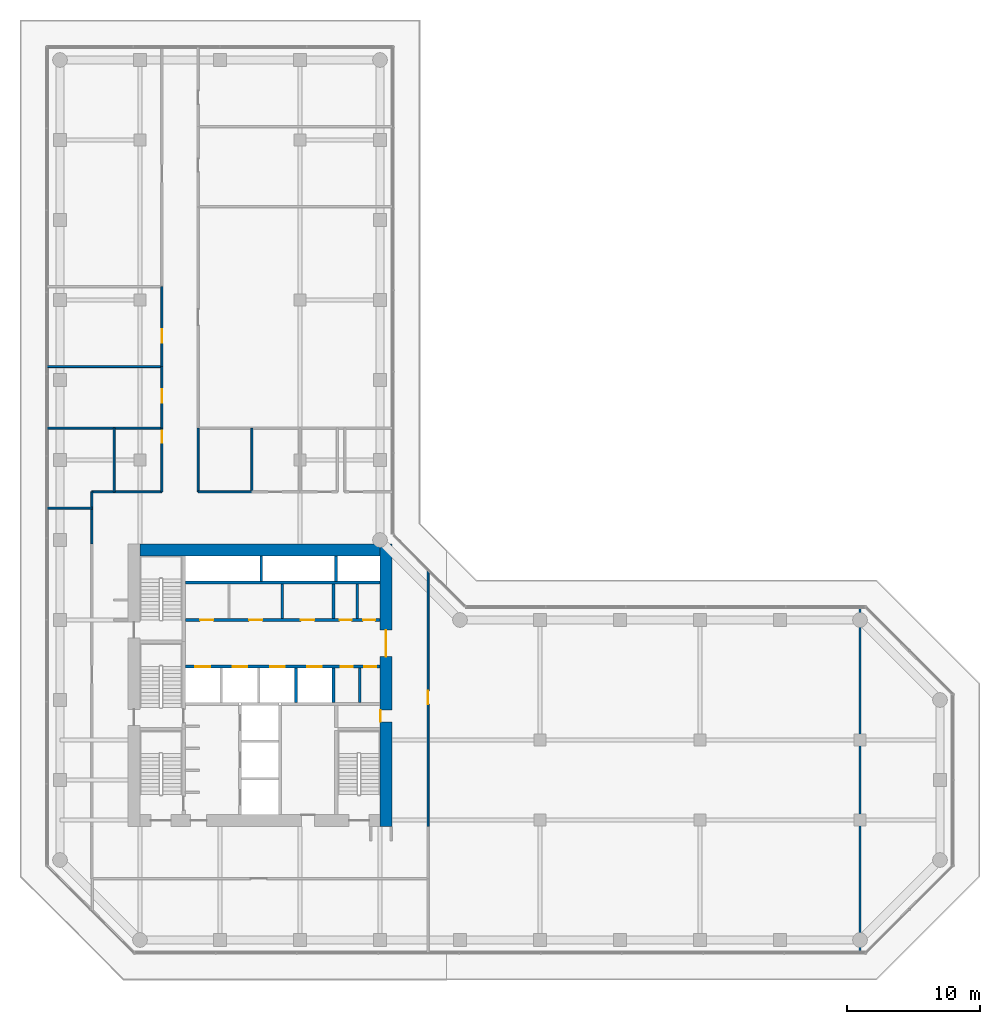
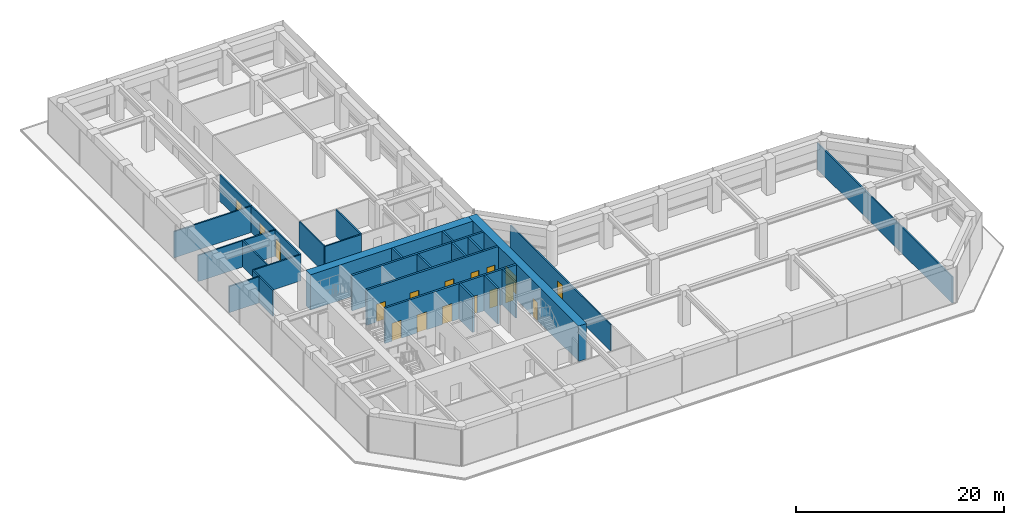
# One storey, part 22 of 24: 27 walls, 17 doors, 17 openings.
"""IFC4 building model written with IfcOpenShell, lengths in metres."""

from ifc_helpers import new_model, si_unit, direction, frame, frame_2d, origin, place, context, subcontext, project, spatial, rectangle, extrude, material, layer, layer_set, type_object, element, fill, save


model = new_model("IFC4")

# Units and contexts
model_context = context("Model", 3, precision=1e-05, world=origin(), true_north=direction((0.0, 1.0)))
body_context = subcontext(model_context, "Body", "Model", "MODEL_VIEW")
ifc_project = project(units=[si_unit("LENGTHUNIT", "METRE"), si_unit("AREAUNIT", "SQUARE_METRE"), si_unit("VOLUMEUNIT", "CUBIC_METRE"), si_unit("PLANEANGLEUNIT", "RADIAN"), si_unit("MASSUNIT", "GRAM", prefix="KILO")], contexts=[model_context])

# Site, building, storey
site_placement = place(None, origin())
site = spatial("IfcSite", under=ifc_project, at=site_placement, CompositionType="ELEMENT")
building_placement = place(site_placement, origin())
building = spatial("IfcBuilding", under=site, at=building_placement, Name="Welwitschia Terrace Campus", CompositionType="ELEMENT")
storey_placement = place(building_placement, frame((0.0, 0.0, 24.5)))
storey = spatial("IfcBuildingStorey", under=building, at=storey_placement, Name="L05", CompositionType="ELEMENT", Elevation=24.5)

# Walls
ifc_material_1 = material(Name="Concrete C32/40", Category="concrete")
ifc_layer_1 = layer(ifc_material_1, 0.175048828125)
ifc_layer_set_1 = layer_set([ifc_layer_1], Name="Concrete C32/40")
wall_type_1 = type_object("IfcWallType", Name="Core partition 175 Concrete C32/40", PredefinedType="PARTITIONING", material=ifc_layer_set_1)
for number, where, z_axis, x_axis, name in (
    (1, (16.675048828125, 20.10009765625, 0.0), (0.0, 0.0, 1.0), (0.0, 1.0, 0.0), "Core partition"),
    (2, (22.300048828125, 20.10009765625, 0.0), (0.0, 0.0, 1.0), (0.0, 1.0, 0.0), "Core partition"),
    (3, (22.469970703125, 13.800048828125, 0.0), (0.0, 0.0, 1.0), (0.0, 1.0, 0.0), "Core partition"),
):
    element("IfcWall", number, at=place(storey_placement, frame(where, z_axis=z_axis, x_axis=x_axis)), inside=storey, type_object=wall_type_1, Name=name, PredefinedType="PARTITIONING", context=body_context, shape_type="SweptSolid", body=[
        extrude(rectangle(XDim=2.599853515625, YDim=0.175048828125, at=frame_2d((1.2998046875, 0.0))), origin(), (0.0, 0.0, 1.0), 4.14990234375),
    ])

# Wall, openings, doors
ifc_material_2 = material(Name="Concrete C32/40", Category="concrete")
ifc_layer_2 = layer(ifc_material_2, 0.22509765625)
ifc_layer_set_2 = layer_set([ifc_layer_2], Name="Concrete C32/40")
wall_type_2 = type_object("IfcWallType", Name="Core partition 225 Concrete C32/40", PredefinedType="PARTITIONING", material=ifc_layer_set_2)
wall_1_placement = place(storey_placement, frame((9.39990234375, 16.5, 0.0), z_axis=(0.0, 0.0, 1.0), x_axis=(1.0, 0.0, 0.0)))
wall_1 = element("IfcWall", 4, at=wall_1_placement, inside=storey, type_object=wall_type_2, Name="Shaft wall", PredefinedType="PARTITIONING", context=body_context, shape_type="SweptSolid", body=[
    extrude(rectangle(XDim=14.60009765625, YDim=0.22509765625, at=frame_2d((7.300048828125, 0.0))), origin(), (0.0, 0.0, 1.0), 4.14990234375),
])
opening_1_placement = place(wall_1_placement, frame((0.75, 0.0, 0.0)))
opening_1 = element("IfcOpeningElement", 5, at=opening_1_placement, cuts=wall_1, Name="Opening LD", PredefinedType="OPENING", context=body_context, shape_type="SweptSolid", body=[
    extrude(rectangle(XDim=1.10009765625, YDim=2.10009765625, at=frame_2d((0.550048828125, 1.050048828125))), frame((0.0, 0.12255859375, 0.0), z_axis=(0.0, -1.0, 0.0), x_axis=(1.0, 0.0, 0.0)), (0.0, 0.0, 1.0), 0.2451171875),
])
opening_2_placement = place(wall_1_placement, frame((3.550048828125, 0.0, 0.0)))
opening_2 = element("IfcOpeningElement", 6, at=opening_2_placement, cuts=wall_1, Name="Opening LD", PredefinedType="OPENING", context=body_context, shape_type="SweptSolid", body=[
    extrude(rectangle(XDim=1.10009765625, YDim=2.10009765625, at=frame_2d((0.550048828125, 1.050048828125))), frame((0.0, 0.12255859375, 0.0), z_axis=(0.0, -1.0, 0.0), x_axis=(1.0, 0.0, 0.0)), (0.0, 0.0, 1.0), 0.2451171875),
])
opening_3_placement = place(wall_1_placement, frame((6.35009765625, 0.0, 0.0)))
opening_3 = element("IfcOpeningElement", 7, at=opening_3_placement, cuts=wall_1, Name="Opening LD", PredefinedType="OPENING", context=body_context, shape_type="SweptSolid", body=[
    extrude(rectangle(XDim=1.10009765625, YDim=2.10009765625, at=frame_2d((0.550048828125, 1.050048828125))), frame((0.0, 0.12255859375, 0.0), z_axis=(0.0, -1.0, 0.0), x_axis=(1.0, 0.0, 0.0)), (0.0, 0.0, 1.0), 0.2451171875),
])
opening_4_placement = place(wall_1_placement, frame((9.14990234375, 0.0, 0.0)))
opening_4 = element("IfcOpeningElement", 8, at=opening_4_placement, cuts=wall_1, Name="Opening LD", PredefinedType="OPENING", context=body_context, shape_type="SweptSolid", body=[
    extrude(rectangle(XDim=1.10009765625, YDim=2.10009765625, at=frame_2d((0.550048828125, 1.050048828125))), frame((0.0, 0.12255859375, 0.0), z_axis=(0.0, -1.0, 0.0), x_axis=(1.0, 0.0, 0.0)), (0.0, 0.0, 1.0), 0.2451171875),
])
opening_5_placement = place(wall_1_placement, frame((11.6474609375, 0.0, 0.0)))
opening_5 = element("IfcOpeningElement", 9, at=opening_5_placement, cuts=wall_1, Name="Opening DR09", PredefinedType="OPENING", context=body_context, shape_type="SweptSolid", body=[
    extrude(rectangle(XDim=0.89990234375, YDim=2.10009765625, at=frame_2d((0.449951171875, 1.050048828125))), frame((0.0, 0.12255859375, 0.0), z_axis=(0.0, -1.0, 0.0), x_axis=(1.0, 0.0, 0.0)), (0.0, 0.0, 1.0), 0.2451171875),
])
opening_6_placement = place(wall_1_placement, frame((13.422607421875, 0.0, 0.0)))
opening_6 = element("IfcOpeningElement", 10, at=opening_6_placement, cuts=wall_1, Name="Opening DR09", PredefinedType="OPENING", context=body_context, shape_type="SweptSolid", body=[
    extrude(rectangle(XDim=0.89990234375, YDim=2.10009765625, at=frame_2d((0.449951171875, 1.050048828125))), frame((0.0, 0.12255859375, 0.0), z_axis=(0.0, -1.0, 0.0), x_axis=(1.0, 0.0, 0.0)), (0.0, 0.0, 1.0), 0.2451171875),
])
ifc_material_3 = material(Name="Steel S275", Category="steel")
door_type_1 = type_object("IfcDoorType", Name="Core door DR09", OperationType="SINGLE_SWING_LEFT", PredefinedType="DOOR", material=ifc_material_3)
door_1_placement = place(opening_5_placement, origin())
door_1 = element("IfcDoor", 11, at=door_1_placement, inside=storey, type_object=door_type_1, Name="Door EL1-D", OperationType="SINGLE_SWING_RIGHT", OverallHeight=2.10009765625, OverallWidth=0.89990234375, PredefinedType="DOOR", context=body_context, shape_type="SweptSolid", body=[
    extrude(rectangle(XDim=0.89990234375, YDim=2.10009765625, at=frame_2d((0.449951171875, 1.050048828125))), frame((0.0, 0.02490234375, 0.0), z_axis=(0.0, -1.0, 0.0), x_axis=(1.0, 0.0, 0.0)), (0.0, 0.0, 1.0), 0.050048828125),
])
fill(opening_5, door_1)
door_2_placement = place(opening_6_placement, origin())
door_2 = element("IfcDoor", 12, at=door_2_placement, inside=storey, type_object=door_type_1, Name="Door EL2-D", OperationType="SINGLE_SWING_RIGHT", OverallHeight=2.10009765625, OverallWidth=0.89990234375, PredefinedType="DOOR", context=body_context, shape_type="SweptSolid", body=[
    extrude(rectangle(XDim=0.89990234375, YDim=2.10009765625, at=frame_2d((0.449951171875, 1.050048828125))), frame((0.0, 0.02490234375, 0.0), z_axis=(0.0, -1.0, 0.0), x_axis=(1.0, 0.0, 0.0)), (0.0, 0.0, 1.0), 0.050048828125),
])
fill(opening_6, door_2)
ifc_material_4 = material(Name="Stainless steel 304", Category="steel")
door_type_2 = type_object("IfcDoorType", Name="Lift landing door", OperationType="DOUBLE_DOOR_SLIDING", PredefinedType="DOOR", material=ifc_material_4)
door_3_placement = place(opening_1_placement, origin())
door_3 = element("IfcDoor", 13, at=door_3_placement, inside=storey, type_object=door_type_2, Name="Landing door LR1", OperationType="DOUBLE_DOOR_SLIDING", OverallHeight=2.10009765625, OverallWidth=1.10009765625, PredefinedType="DOOR", context=body_context, shape_type="SweptSolid", body=[
    extrude(rectangle(XDim=1.10009765625, YDim=2.10009765625, at=frame_2d((0.550048828125, 1.050048828125))), frame((0.0, 0.02490234375, 0.0), z_axis=(0.0, -1.0, 0.0), x_axis=(1.0, 0.0, 0.0)), (0.0, 0.0, 1.0), 0.050048828125),
])
fill(opening_1, door_3)
door_4_placement = place(opening_2_placement, origin())
door_4 = element("IfcDoor", 14, at=door_4_placement, inside=storey, type_object=door_type_2, Name="Landing door LR2", OperationType="DOUBLE_DOOR_SLIDING", OverallHeight=2.10009765625, OverallWidth=1.10009765625, PredefinedType="DOOR", context=body_context, shape_type="SweptSolid", body=[
    extrude(rectangle(XDim=1.10009765625, YDim=2.10009765625, at=frame_2d((0.550048828125, 1.050048828125))), frame((0.0, 0.02490234375, 0.0), z_axis=(0.0, -1.0, 0.0), x_axis=(1.0, 0.0, 0.0)), (0.0, 0.0, 1.0), 0.050048828125),
])
fill(opening_2, door_4)
door_5_placement = place(opening_3_placement, origin())
door_5 = element("IfcDoor", 15, at=door_5_placement, inside=storey, type_object=door_type_2, Name="Landing door LR3", OperationType="DOUBLE_DOOR_SLIDING", OverallHeight=2.10009765625, OverallWidth=1.10009765625, PredefinedType="DOOR", context=body_context, shape_type="SweptSolid", body=[
    extrude(rectangle(XDim=1.10009765625, YDim=2.10009765625, at=frame_2d((0.550048828125, 1.050048828125))), frame((0.0, 0.02490234375, 0.0), z_axis=(0.0, -1.0, 0.0), x_axis=(1.0, 0.0, 0.0)), (0.0, 0.0, 1.0), 0.050048828125),
])
fill(opening_3, door_5)
door_6_placement = place(opening_4_placement, origin())
door_6 = element("IfcDoor", 16, at=door_6_placement, inside=storey, type_object=door_type_2, Name="Landing door LR4", OperationType="DOUBLE_DOOR_SLIDING", OverallHeight=2.10009765625, OverallWidth=1.10009765625, PredefinedType="DOOR", context=body_context, shape_type="SweptSolid", body=[
    extrude(rectangle(XDim=1.10009765625, YDim=2.10009765625, at=frame_2d((0.550048828125, 1.050048828125))), frame((0.0, 0.02490234375, 0.0), z_axis=(0.0, -1.0, 0.0), x_axis=(1.0, 0.0, 0.0)), (0.0, 0.0, 1.0), 0.050048828125),
])
fill(opening_4, door_6)

wall_2_placement = place(storey_placement, frame((24.0, 20.0, 0.0), z_axis=(0.0, 0.0, 1.0), x_axis=(-1.0, 0.0, 0.0)))
wall_2 = element("IfcWall", 17, at=wall_2_placement, inside=storey, type_object=wall_type_2, Name="Core partition", PredefinedType="PARTITIONING", context=body_context, shape_type="SweptSolid", body=[
    extrude(rectangle(XDim=14.60009765625, YDim=0.22509765625, at=frame_2d((7.300048828125, 0.0))), origin(), (0.0, 0.0, 1.0), 4.14990234375),
])
opening_7_placement = place(wall_2_placement, frame((12.5, 0.0, 0.0)))
opening_7 = element("IfcOpeningElement", 18, at=opening_7_placement, cuts=wall_2, Name="Opening DR10", PredefinedType="OPENING", context=body_context, shape_type="SweptSolid", body=[
    extrude(rectangle(XDim=1.0, YDim=2.10009765625, at=frame_2d((0.5, 1.050048828125))), frame((0.0, 0.12255859375, 0.0), z_axis=(0.0, -1.0, 0.0), x_axis=(1.0, 0.0, 0.0)), (0.0, 0.0, 1.0), 0.2451171875),
])
opening_8_placement = place(wall_2_placement, frame((8.824951171875, 0.0, 0.0)))
opening_8 = element("IfcOpeningElement", 19, at=opening_8_placement, cuts=wall_2, Name="Opening DR10", PredefinedType="OPENING", context=body_context, shape_type="SweptSolid", body=[
    extrude(rectangle(XDim=1.0, YDim=2.10009765625, at=frame_2d((0.5, 1.050048828125))), frame((0.0, 0.12255859375, 0.0), z_axis=(0.0, -1.0, 0.0), x_axis=(1.0, 0.0, 0.0)), (0.0, 0.0, 1.0), 0.2451171875),
])
opening_9_placement = place(wall_2_placement, frame((4.925048828125, 0.0, 0.0)))
opening_9 = element("IfcOpeningElement", 20, at=opening_9_placement, cuts=wall_2, Name="Opening DR10", PredefinedType="OPENING", context=body_context, shape_type="SweptSolid", body=[
    extrude(rectangle(XDim=1.0, YDim=2.10009765625, at=frame_2d((0.5, 1.050048828125))), frame((0.0, 0.12255859375, 0.0), z_axis=(0.0, -1.0, 0.0), x_axis=(1.0, 0.0, 0.0)), (0.0, 0.0, 1.0), 0.2451171875),
])
opening_10_placement = place(wall_2_placement, frame((2.137451171875, 0.0, 0.0)))
opening_10 = element("IfcOpeningElement", 21, at=opening_10_placement, cuts=wall_2, Name="Opening DR09", PredefinedType="OPENING", context=body_context, shape_type="SweptSolid", body=[
    extrude(rectangle(XDim=0.89990234375, YDim=2.10009765625, at=frame_2d((0.449951171875, 1.050048828125))), frame((0.0, 0.12255859375, 0.0), z_axis=(0.0, -1.0, 0.0), x_axis=(1.0, 0.0, 0.0)), (0.0, 0.0, 1.0), 0.2451171875),
])
opening_11_placement = place(wall_2_placement, frame((0.362548828125, 0.0, 0.0)))
opening_11 = element("IfcOpeningElement", 22, at=opening_11_placement, cuts=wall_2, Name="Opening DR09", PredefinedType="OPENING", context=body_context, shape_type="SweptSolid", body=[
    extrude(rectangle(XDim=0.89990234375, YDim=2.10009765625, at=frame_2d((0.449951171875, 1.050048828125))), frame((0.0, 0.12255859375, 0.0), z_axis=(0.0, -1.0, 0.0), x_axis=(1.0, 0.0, 0.0)), (0.0, 0.0, 1.0), 0.2451171875),
])
door_7_placement = place(opening_10_placement, origin())
door_7 = element("IfcDoor", 23, at=door_7_placement, inside=storey, type_object=door_type_1, Name="Door EH1-D", OperationType="SINGLE_SWING_LEFT", OverallHeight=2.10009765625, OverallWidth=0.89990234375, PredefinedType="DOOR", context=body_context, shape_type="SweptSolid", body=[
    extrude(rectangle(XDim=0.89990234375, YDim=2.10009765625, at=frame_2d((0.449951171875, 1.050048828125))), frame((0.0, 0.02490234375, 0.0), z_axis=(0.0, -1.0, 0.0), x_axis=(1.0, 0.0, 0.0)), (0.0, 0.0, 1.0), 0.050048828125),
])
fill(opening_10, door_7)
door_8_placement = place(opening_11_placement, origin())
door_8 = element("IfcDoor", 24, at=door_8_placement, inside=storey, type_object=door_type_1, Name="Door EH2-D", OperationType="SINGLE_SWING_LEFT", OverallHeight=2.10009765625, OverallWidth=0.89990234375, PredefinedType="DOOR", context=body_context, shape_type="SweptSolid", body=[
    extrude(rectangle(XDim=0.89990234375, YDim=2.10009765625, at=frame_2d((0.449951171875, 1.050048828125))), frame((0.0, 0.02490234375, 0.0), z_axis=(0.0, -1.0, 0.0), x_axis=(1.0, 0.0, 0.0)), (0.0, 0.0, 1.0), 0.050048828125),
])
fill(opening_11, door_8)
ifc_material_5 = material(Name="Steel S275", Category="steel")
door_type_3 = type_object("IfcDoorType", Name="Core door DR10", OperationType="SINGLE_SWING_LEFT", PredefinedType="DOOR", material=ifc_material_5)
door_9_placement = place(opening_7_placement, origin())
door_9 = element("IfcDoor", 25, at=door_9_placement, inside=storey, type_object=door_type_3, Name="Door BAYH1-D", OperationType="SINGLE_SWING_RIGHT", OverallHeight=2.10009765625, OverallWidth=1.0, PredefinedType="DOOR", context=body_context, shape_type="SweptSolid", body=[
    extrude(rectangle(XDim=1.0, YDim=2.10009765625, at=frame_2d((0.5, 1.050048828125))), frame((0.0, 0.02490234375, 0.0), z_axis=(0.0, -1.0, 0.0), x_axis=(1.0, 0.0, 0.0)), (0.0, 0.0, 1.0), 0.050048828125),
])
fill(opening_7, door_9)
door_10_placement = place(opening_8_placement, origin())
door_10 = element("IfcDoor", 26, at=door_10_placement, inside=storey, type_object=door_type_3, Name="Door BAYH2-D", OperationType="SINGLE_SWING_RIGHT", OverallHeight=2.10009765625, OverallWidth=1.0, PredefinedType="DOOR", context=body_context, shape_type="SweptSolid", body=[
    extrude(rectangle(XDim=1.0, YDim=2.10009765625, at=frame_2d((0.5, 1.050048828125))), frame((0.0, 0.02490234375, 0.0), z_axis=(0.0, -1.0, 0.0), x_axis=(1.0, 0.0, 0.0)), (0.0, 0.0, 1.0), 0.050048828125),
])
fill(opening_8, door_10)
door_11_placement = place(opening_9_placement, origin())
door_11 = element("IfcDoor", 27, at=door_11_placement, inside=storey, type_object=door_type_3, Name="Door BAYH3-D", OperationType="SINGLE_SWING_LEFT", OverallHeight=2.10009765625, OverallWidth=1.0, PredefinedType="DOOR", context=body_context, shape_type="SweptSolid", body=[
    extrude(rectangle(XDim=1.0, YDim=2.10009765625, at=frame_2d((0.5, 1.050048828125))), frame((0.0, 0.02490234375, 0.0), z_axis=(0.0, -1.0, 0.0), x_axis=(1.0, 0.0, 0.0)), (0.0, 0.0, 1.0), 0.050048828125),
])
fill(opening_9, door_11)

# Walls
wall_3_placement = place(storey_placement, frame((9.39990234375, 22.800048828125, 0.0), z_axis=(0.0, 0.0, 1.0), x_axis=(1.0, 0.0, 0.0)))
element("IfcWall", 28, at=wall_3_placement, inside=storey, type_object=wall_type_2, Name="Shaft wall", PredefinedType="PARTITIONING", context=body_context, shape_type="SweptSolid", body=[
    extrude(rectangle(XDim=14.60009765625, YDim=0.22509765625, at=frame_2d((7.300048828125, 0.0))), origin(), (0.0, 0.0, 1.0), 4.14990234375),
])
for number, where, z_axis, x_axis, name in (
    (29, (20.5, 13.800048828125, 0.0), (0.0, 0.0, 1.0), (0.0, 1.0, 0.0), "Shaft wall"),
    (30, (20.5, 20.10009765625, 0.0), (0.0, 0.0, 1.0), (0.0, 1.0, 0.0), "Core partition"),
):
    element("IfcWall", number, at=place(storey_placement, frame(where, z_axis=z_axis, x_axis=x_axis)), inside=storey, type_object=wall_type_2, Name=name, PredefinedType="PARTITIONING", context=body_context, shape_type="SweptSolid", body=[
        extrude(rectangle(XDim=2.599853515625, YDim=0.22509765625, at=frame_2d((1.2998046875, 0.0))), origin(), (0.0, 0.0, 1.0), 4.14990234375),
    ])
ifc_material_6 = material(Name="Concrete C50/60", Category="concrete")
ifc_layer_3 = layer(ifc_material_6, 0.199951171875)
ifc_layer_set_3 = layer_set([ifc_layer_3], Name="Concrete C50/60")
wall_type_3 = type_object("IfcWallType", Name="Core wall 200 Concrete C50/60", PredefinedType="SHEAR", material=ifc_layer_set_3)
for number, where, z_axis, x_axis, name in (
    (31, (15.10009765625, 22.89990234375, 0.0), (0.0, 0.0, 1.0), (0.0, 1.0, 0.0), "Core wall"),
    (32, (20.699951171875, 22.89990234375, 0.0), (0.0, 0.0, 1.0), (0.0, 1.0, 0.0), "Core wall"),
):
    element("IfcWall", number, at=place(storey_placement, frame(where, z_axis=z_axis, x_axis=x_axis)), inside=storey, type_object=wall_type_3, Name=name, PredefinedType="SHEAR", context=body_context, shape_type="SweptSolid", body=[
        extrude(rectangle(XDim=1.900146484375, YDim=0.199951171875, at=frame_2d((0.9501953125, 0.0))), origin(), (0.0, 0.0, 1.0), 4.14990234375),
    ])

# Wall, openings, doors
ifc_material_7 = material(Name="Concrete C70/85", Category="concrete")
ifc_layer_4 = layer(ifc_material_7, 0.89990234375)
ifc_layer_set_4 = layer_set([ifc_layer_4], Name="Concrete C70/85")
wall_type_4 = type_object("IfcWallType", Name="Core wall 900 Concrete C70/85", PredefinedType="SHEAR", material=ifc_layer_set_4)
wall_4_placement = place(storey_placement, frame((24.449951171875, 25.699951171875, 0.0), z_axis=(0.0, 0.0, 1.0), x_axis=(0.0, -1.0, 0.0)))
wall_4 = element("IfcWall", 33, at=wall_4_placement, inside=storey, type_object=wall_type_4, Name="Core outer wall", PredefinedType="SHEAR", context=body_context, shape_type="SweptSolid", body=[
    extrude(rectangle(XDim=21.199951171875, YDim=0.89990234375, at=frame_2d((10.60009765625, 0.0))), origin(), (0.0, 0.0, 1.0), 4.14990234375),
])
opening_12_placement = place(wall_4_placement, frame((12.449951171875, 0.0, 0.0)))
opening_12 = element("IfcOpeningElement", 34, at=opening_12_placement, cuts=wall_4, Name="Opening DR09", PredefinedType="OPENING", context=body_context, shape_type="SweptSolid", body=[
    extrude(rectangle(XDim=0.89990234375, YDim=2.10009765625, at=frame_2d((0.449951171875, 1.050048828125))), frame((0.0, 0.4599609375, 0.0), z_axis=(0.0, -1.0, 0.0), x_axis=(1.0, 0.0, 0.0)), (0.0, 0.0, 1.0), 0.919921875),
])
opening_13_placement = place(wall_4_placement, frame((6.449951171875, 0.0, 0.0)))
opening_13 = element("IfcOpeningElement", 35, at=opening_13_placement, cuts=wall_4, Name="Opening DL20", PredefinedType="OPENING", context=body_context, shape_type="SweptSolid", body=[
    extrude(rectangle(XDim=2.0, YDim=2.10009765625, at=frame_2d((1.0, 1.050048828125))), frame((0.0, 0.4599609375, 0.0), z_axis=(0.0, -1.0, 0.0), x_axis=(1.0, 0.0, 0.0)), (0.0, 0.0, 1.0), 0.919921875),
])
ifc_material_8 = material(Name="Steel S275", Category="steel")
door_type_4 = type_object("IfcDoorType", Name="Core door DL20", OperationType="DOUBLE_DOOR_SINGLE_SWING", PredefinedType="DOOR", material=ifc_material_8)
door_12_placement = place(opening_13_placement, origin())
door_12 = element("IfcDoor", 36, at=door_12_placement, inside=storey, type_object=door_type_4, Name="Door LOBBY-out", OperationType="DOUBLE_DOOR_SINGLE_SWING", OverallHeight=2.10009765625, OverallWidth=2.0, PredefinedType="DOOR", context=body_context, shape_type="SweptSolid", body=[
    extrude(rectangle(XDim=2.0, YDim=2.10009765625, at=frame_2d((1.0, 1.050048828125))), frame((0.0, 0.02490234375, 0.0), z_axis=(0.0, -1.0, 0.0), x_axis=(1.0, 0.0, 0.0)), (0.0, 0.0, 1.0), 0.050048828125),
])
fill(opening_13, door_12)
door_13_placement = place(opening_12_placement, origin())
door_13 = element("IfcDoor", 37, at=door_13_placement, inside=storey, type_object=door_type_1, Name="Door F1B-out", OperationType="SINGLE_SWING_RIGHT", OverallHeight=2.10009765625, OverallWidth=0.89990234375, PredefinedType="DOOR", context=body_context, shape_type="SweptSolid", body=[
    extrude(rectangle(XDim=0.89990234375, YDim=2.10009765625, at=frame_2d((0.449951171875, 1.050048828125))), frame((0.0, -0.39013671875, 0.0), z_axis=(0.0, -1.0, 0.0), x_axis=(1.0, 0.0, 0.0)), (0.0, 0.0, 1.0), 0.050048828125),
])
fill(opening_12, door_13)

# Walls
wall_5_placement = place(storey_placement, frame((6.0, 25.25, 0.0), z_axis=(0.0, 0.0, 1.0), x_axis=(1.0, 0.0, 0.0)))
element("IfcWall", 38, at=wall_5_placement, inside=storey, type_object=wall_type_4, Name="Core outer wall", PredefinedType="SHEAR", context=body_context, shape_type="SweptSolid", body=[
    extrude(rectangle(XDim=18.0, YDim=0.89990234375, at=frame_2d((9.0, 0.0))), origin(), (0.0, 0.0, 1.0), 4.14990234375),
])
ifc_material_9 = material(Name="Gypsum board on steel studs", Category="steel")
ifc_layer_5 = layer(ifc_material_9, 0.14990234375)
ifc_layer_set_5 = layer_set([ifc_layer_5], Name="Gypsum board on steel studs")
wall_type_5 = type_object("IfcWallType", Name="Corridor partition 150 EI 30", PredefinedType="PARTITIONING", material=ifc_layer_set_5)
wall_6_placement = place(storey_placement, frame((-0.969970703125, 28.39990234375, 0.0), z_axis=(0.0, 0.0, 1.0), x_axis=(1.0, 0.0, 0.0)))
element("IfcWall", 39, at=wall_6_placement, inside=storey, type_object=wall_type_5, Name="Partition", PredefinedType="PARTITIONING", context=body_context, shape_type="SweptSolid", body=[
    extrude(rectangle(XDim=3.369873046875, YDim=0.14990234375, at=frame_2d((1.68505859375, 0.0))), origin(), (0.0, 0.0, 1.0), 3.080078125),
])
for number, where, z_axis, x_axis, name in (
    (40, (-0.969970703125, 34.39990234375, 0.0), (0.0, 0.0, 1.0), (1.0, 0.0, 0.0), "Partition"),
    (41, (-0.969970703125, 39.0, 0.0), (0.0, 0.0, 1.0), (1.0, 0.0, 0.0), "Partition"),
):
    element("IfcWall", number, at=place(storey_placement, frame(where, z_axis=z_axis, x_axis=x_axis)), inside=storey, type_object=wall_type_5, Name=name, PredefinedType="PARTITIONING", context=body_context, shape_type="SweptSolid", body=[
        extrude(rectangle(XDim=8.619873046875, YDim=0.14990234375, at=frame_2d((4.31005859375, 0.0))), origin(), (0.0, 0.0, 1.0), 3.080078125),
    ])
wall_7_placement = place(storey_placement, frame((2.39990234375, 25.699951171875, 0.0), z_axis=(0.0, 0.0, 1.0), x_axis=(0.0, 1.0, 0.0)))
element("IfcWall", 42, at=wall_7_placement, inside=storey, type_object=wall_type_5, Name="Partition", PredefinedType="PARTITIONING", context=body_context, shape_type="SweptSolid", body=[
    extrude(rectangle(XDim=3.900146484375, YDim=0.14990234375, at=frame_2d((1.9501953125, 0.0))), origin(), (0.0, 0.0, 1.0), 3.080078125),
])
wall_8_placement = place(storey_placement, frame((2.39990234375, 29.60009765625, 0.0), z_axis=(0.0, 0.0, 1.0), x_axis=(1.0, 0.0, 0.0)))
element("IfcWall", 43, at=wall_8_placement, inside=storey, type_object=wall_type_5, Name="Partition", PredefinedType="PARTITIONING", context=body_context, shape_type="SweptSolid", body=[
    extrude(rectangle(XDim=5.25, YDim=0.14990234375, at=frame_2d((2.625, 0.0))), origin(), (0.0, 0.0, 1.0), 3.080078125),
])
wall_9_placement = place(storey_placement, frame((4.050048828125, 29.60009765625, 0.0), z_axis=(0.0, 0.0, 1.0), x_axis=(0.0, 1.0, 0.0)))
element("IfcWall", 44, at=wall_9_placement, inside=storey, type_object=wall_type_5, Name="Partition", PredefinedType="PARTITIONING", context=body_context, shape_type="SweptSolid", body=[
    extrude(rectangle(XDim=4.7998046875, YDim=0.14990234375, at=frame_2d((2.39990234375, 0.0))), origin(), (0.0, 0.0, 1.0), 3.080078125),
])

# Wall, opening, door
wall_10_placement = place(storey_placement, frame((7.64990234375, 29.60009765625, 0.0), z_axis=(0.0, 0.0, 1.0), x_axis=(0.0, 1.0, 0.0)))
wall_10 = element("IfcWall", 45, at=wall_10_placement, inside=storey, type_object=wall_type_5, Name="Partition", PredefinedType="PARTITIONING", context=body_context, shape_type="SweptSolid", body=[
    extrude(rectangle(XDim=4.7998046875, YDim=0.14990234375, at=frame_2d((2.39990234375, 0.0))), origin(), (0.0, 0.0, 1.0), 3.080078125),
])
opening_14_placement = place(wall_10_placement, frame((3.699951171875, 0.0, 0.0)))
opening_14 = element("IfcOpeningElement", 46, at=opening_14_placement, cuts=wall_10, Name="Opening DI09", PredefinedType="OPENING", context=body_context, shape_type="SweptSolid", body=[
    extrude(rectangle(XDim=0.89990234375, YDim=2.10009765625, at=frame_2d((0.449951171875, 1.050048828125))), frame((0.0, 0.0849609375, 0.0), z_axis=(0.0, -1.0, 0.0), x_axis=(1.0, 0.0, 0.0)), (0.0, 0.0, 1.0), 0.169921875),
])
ifc_material_10 = material(Name="Timber veneered door", Category="wood")
door_type_5 = type_object("IfcDoorType", Name="Interior door DI09", OperationType="NOTDEFINED", PredefinedType="DOOR", material=ifc_material_10)
door_14_placement = place(opening_14_placement, origin())
door_14 = element("IfcDoor", 47, at=door_14_placement, inside=storey, type_object=door_type_5, Name="Door L05 136", OperationType="SINGLE_SWING_LEFT", OverallHeight=2.10009765625, OverallWidth=0.89990234375, PredefinedType="DOOR", context=body_context, shape_type="SweptSolid", body=[
    extrude(rectangle(XDim=0.89990234375, YDim=2.10009765625, at=frame_2d((0.449951171875, 1.050048828125))), frame((0.0, 0.02490234375, 0.0), z_axis=(0.0, -1.0, 0.0), x_axis=(1.0, 0.0, 0.0)), (0.0, 0.0, 1.0), 0.050048828125),
])
fill(opening_14, door_14)

wall_11_placement = place(storey_placement, frame((7.64990234375, 34.39990234375, 0.0), z_axis=(0.0, 0.0, 1.0), x_axis=(0.0, 1.0, 0.0)))
wall_11 = element("IfcWall", 48, at=wall_11_placement, inside=storey, type_object=wall_type_5, Name="Partition", PredefinedType="PARTITIONING", context=body_context, shape_type="SweptSolid", body=[
    extrude(rectangle(XDim=4.60009765625, YDim=0.14990234375, at=frame_2d((2.300048828125, 0.0))), origin(), (0.0, 0.0, 1.0), 3.080078125),
])
opening_15_placement = place(wall_11_placement, frame((1.89990234375, 0.0, 0.0)))
opening_15 = element("IfcOpeningElement", 49, at=opening_15_placement, cuts=wall_11, Name="Opening DI10", PredefinedType="OPENING", context=body_context, shape_type="SweptSolid", body=[
    extrude(rectangle(XDim=1.0, YDim=2.10009765625, at=frame_2d((0.5, 1.050048828125))), frame((0.0, 0.0849609375, 0.0), z_axis=(0.0, -1.0, 0.0), x_axis=(1.0, 0.0, 0.0)), (0.0, 0.0, 1.0), 0.169921875),
])
ifc_material_11 = material(Name="Timber veneered door", Category="wood")
door_type_6 = type_object("IfcDoorType", Name="Interior door DI10", OperationType="NOTDEFINED", PredefinedType="DOOR", material=ifc_material_11)
door_15_placement = place(opening_15_placement, origin())
door_15 = element("IfcDoor", 50, at=door_15_placement, inside=storey, type_object=door_type_6, Name="Door L05 137", OperationType="SINGLE_SWING_RIGHT", OverallHeight=2.10009765625, OverallWidth=1.0, PredefinedType="DOOR", context=body_context, shape_type="SweptSolid", body=[
    extrude(rectangle(XDim=1.0, YDim=2.10009765625, at=frame_2d((0.5, 1.050048828125))), frame((0.0, 0.02490234375, 0.0), z_axis=(0.0, -1.0, 0.0), x_axis=(1.0, 0.0, 0.0)), (0.0, 0.0, 1.0), 0.050048828125),
])
fill(opening_15, door_15)

wall_12_placement = place(storey_placement, frame((7.64990234375, 39.0, 0.0), z_axis=(0.0, 0.0, 1.0), x_axis=(0.0, 1.0, 0.0)))
wall_12 = element("IfcWall", 51, at=wall_12_placement, inside=storey, type_object=wall_type_5, Name="Partition", PredefinedType="PARTITIONING", context=body_context, shape_type="SweptSolid", body=[
    extrude(rectangle(XDim=6.0, YDim=0.14990234375, at=frame_2d((3.0, 0.0))), origin(), (0.0, 0.0, 1.0), 3.080078125),
])
opening_16_placement = place(wall_12_placement, frame((1.800048828125, 0.0, 0.0)))
opening_16 = element("IfcOpeningElement", 52, at=opening_16_placement, cuts=wall_12, Name="Opening DI10", PredefinedType="OPENING", context=body_context, shape_type="SweptSolid", body=[
    extrude(rectangle(XDim=1.0, YDim=2.10009765625, at=frame_2d((0.5, 1.050048828125))), frame((0.0, 0.0849609375, 0.0), z_axis=(0.0, -1.0, 0.0), x_axis=(1.0, 0.0, 0.0)), (0.0, 0.0, 1.0), 0.169921875),
])
door_16_placement = place(opening_16_placement, origin())
door_16 = element("IfcDoor", 53, at=door_16_placement, inside=storey, type_object=door_type_6, Name="Door L05 138", OperationType="SINGLE_SWING_LEFT", OverallHeight=2.10009765625, OverallWidth=1.0, PredefinedType="DOOR", context=body_context, shape_type="SweptSolid", body=[
    extrude(rectangle(XDim=1.0, YDim=2.10009765625, at=frame_2d((0.5, 1.050048828125))), frame((0.0, 0.02490234375, 0.0), z_axis=(0.0, -1.0, 0.0), x_axis=(1.0, 0.0, 0.0)), (0.0, 0.0, 1.0), 0.050048828125),
])
fill(opening_16, door_16)

# Walls
wall_13_placement = place(storey_placement, frame((10.35009765625, 29.60009765625, 0.0), z_axis=(0.0, 0.0, 1.0), x_axis=(0.0, 1.0, 0.0)))
element("IfcWall", 54, at=wall_13_placement, inside=storey, type_object=wall_type_5, Name="Partition", PredefinedType="PARTITIONING", context=body_context, shape_type="SweptSolid", body=[
    extrude(rectangle(XDim=4.7998046875, YDim=0.14990234375, at=frame_2d((2.39990234375, 0.0))), origin(), (0.0, 0.0, 1.0), 3.080078125),
])
wall_14_placement = place(storey_placement, frame((10.35009765625, 29.60009765625, 0.0), z_axis=(0.0, 0.0, 1.0), x_axis=(1.0, 0.0, 0.0)))
element("IfcWall", 55, at=wall_14_placement, inside=storey, type_object=wall_type_5, Name="Partition", PredefinedType="PARTITIONING", context=body_context, shape_type="SweptSolid", body=[
    extrude(rectangle(XDim=4.0498046875, YDim=0.14990234375, at=frame_2d((2.02490234375, 0.0))), origin(), (0.0, 0.0, 1.0), 3.080078125),
])
wall_15_placement = place(storey_placement, frame((14.39990234375, 29.60009765625, 0.0), z_axis=(0.0, 0.0, 1.0), x_axis=(0.0, 1.0, 0.0)))
element("IfcWall", 56, at=wall_15_placement, inside=storey, type_object=wall_type_5, Name="Partition", PredefinedType="PARTITIONING", context=body_context, shape_type="SweptSolid", body=[
    extrude(rectangle(XDim=4.7998046875, YDim=0.14990234375, at=frame_2d((2.39990234375, 0.0))), origin(), (0.0, 0.0, 1.0), 3.080078125),
])

# Wall, opening, door
wall_16_placement = place(storey_placement, frame((27.60009765625, 23.77001953125, 0.0), z_axis=(0.0, 0.0, 1.0), x_axis=(0.0, -1.0, 0.0)))
wall_16 = element("IfcWall", 57, at=wall_16_placement, inside=storey, type_object=wall_type_5, Name="Partition", PredefinedType="PARTITIONING", context=body_context, shape_type="SweptSolid", body=[
    extrude(rectangle(XDim=19.27001953125, YDim=0.14990234375, at=frame_2d((9.635009765625, 0.0))), origin(), (0.0, 0.0, 1.0), 3.080078125),
])
opening_17_placement = place(wall_16_placement, frame((9.070068359375, 0.0, 0.0)))
opening_17 = element("IfcOpeningElement", 58, at=opening_17_placement, cuts=wall_16, Name="Opening DI10", PredefinedType="OPENING", context=body_context, shape_type="SweptSolid", body=[
    extrude(rectangle(XDim=1.0, YDim=2.10009765625, at=frame_2d((0.5, 1.050048828125))), frame((0.0, 0.0849609375, 0.0), z_axis=(0.0, -1.0, 0.0), x_axis=(1.0, 0.0, 0.0)), (0.0, 0.0, 1.0), 0.169921875),
])
door_17_placement = place(opening_17_placement, origin())
door_17 = element("IfcDoor", 59, at=door_17_placement, inside=storey, type_object=door_type_6, Name="Door L05 147", OperationType="SINGLE_SWING_RIGHT", OverallHeight=2.10009765625, OverallWidth=1.0, PredefinedType="DOOR", context=body_context, shape_type="SweptSolid", body=[
    extrude(rectangle(XDim=1.0, YDim=2.10009765625, at=frame_2d((0.5, 1.050048828125))), frame((0.0, 0.02490234375, 0.0), z_axis=(0.0, -1.0, 0.0), x_axis=(1.0, 0.0, 0.0)), (0.0, 0.0, 1.0), 0.050048828125),
])
fill(opening_17, door_17)

# Walls
wall_17_placement = place(storey_placement, frame((60.0, -4.969970703125, 0.0), z_axis=(0.0, 0.0, 1.0), x_axis=(0.0, 1.0, 0.0)))
element("IfcWall", 60, at=wall_17_placement, inside=storey, type_object=wall_type_5, Name="Partition", PredefinedType="PARTITIONING", context=body_context, shape_type="SweptSolid", body=[
    extrude(rectangle(XDim=25.93994140625, YDim=0.14990234375, at=frame_2d((12.969970703125, 0.0))), origin(), (0.0, 0.0, 1.0), 3.080078125),
])
ifc_material_12 = material(Name="Concrete C32/40", Category="concrete")
ifc_layer_6 = layer(ifc_material_12, 0.199951171875)
ifc_layer_set_6 = layer_set([ifc_layer_6], Name="Concrete C32/40")
wall_type_6 = type_object("IfcWallType", Name="Shaft wall 200 Concrete C32/40", PredefinedType="SOLIDWALL", material=ifc_layer_set_6)
wall_18_placement = place(storey_placement, frame((17.699951171875, 13.800048828125, 0.0), z_axis=(0.0, 0.0, 1.0), x_axis=(0.0, 1.0, 0.0)))
element("IfcWall", 61, at=wall_18_placement, inside=storey, type_object=wall_type_6, Name="Shaft wall", PredefinedType="SOLIDWALL", context=body_context, shape_type="SweptSolid", body=[
    extrude(rectangle(XDim=2.599853515625, YDim=0.199951171875, at=frame_2d((1.2998046875, 0.0))), origin(), (0.0, 0.0, 1.0), 4.14990234375),
])

save(model, "model.ifc")
